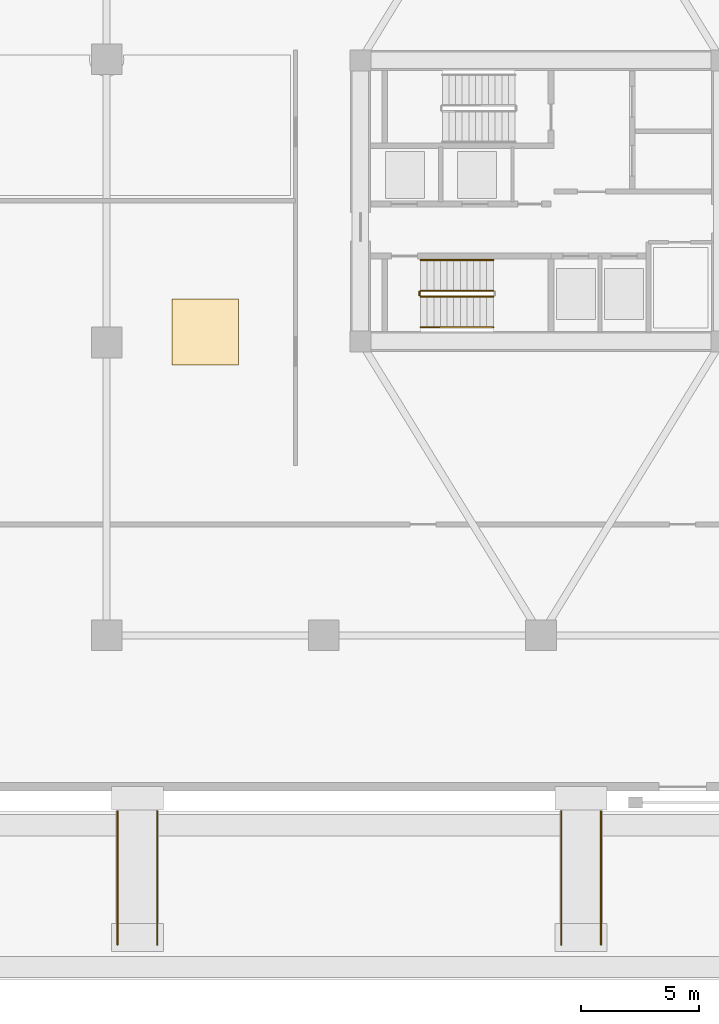
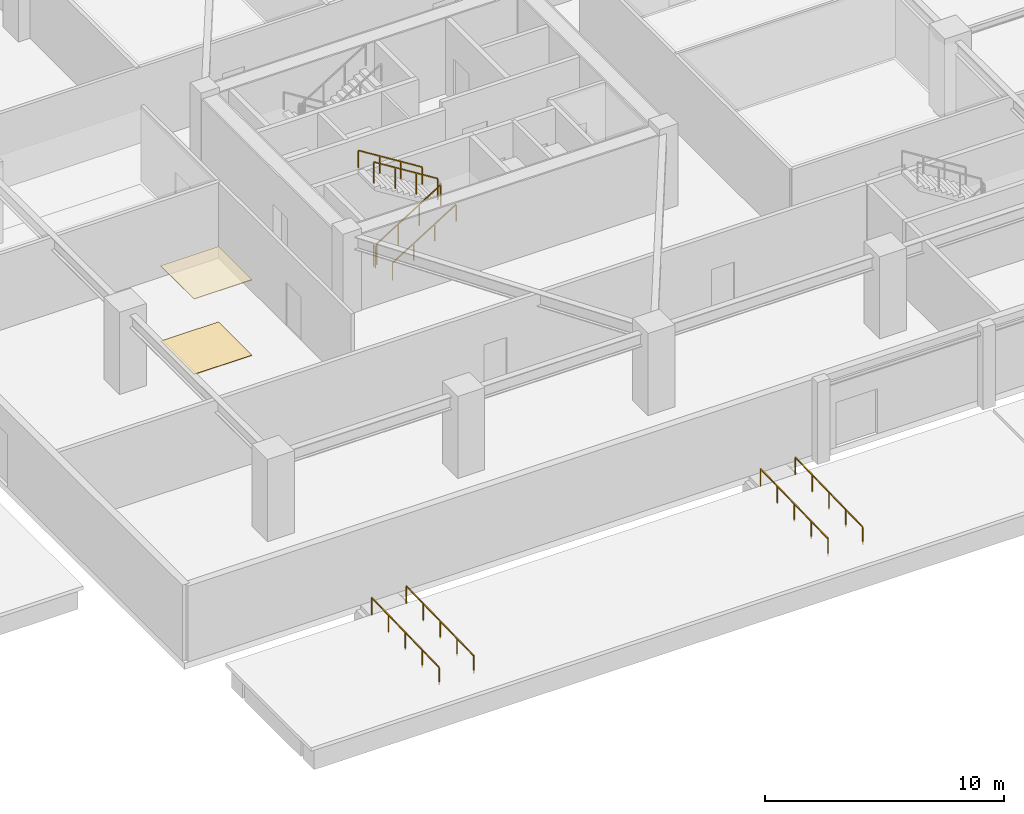
# One storey, part 13 of 22: 9 railings, 2 coverings.
"""IFC4 building model written with IfcOpenShell, lengths in metres."""

from ifc_helpers import new_model, si_unit, direction, frame, origin, origin_2d, place, context, subcontext, project, spatial, polyline, rectangle, outline, extrude, material, layer, layer_set, type_object, element, save


model = new_model("IFC4")

# Units and contexts
model_context = context("Model", 3, precision=1e-05, world=origin(), true_north=direction((0.0, 1.0)))
body_context = subcontext(model_context, "Body", "Model", "MODEL_VIEW")
ifc_project = project(units=[si_unit("LENGTHUNIT", "METRE"), si_unit("AREAUNIT", "SQUARE_METRE"), si_unit("VOLUMEUNIT", "CUBIC_METRE"), si_unit("PLANEANGLEUNIT", "RADIAN"), si_unit("MASSUNIT", "GRAM", prefix="KILO")], contexts=[model_context])

# Site, building, storey
site_placement = place(None, origin())
site = spatial("IfcSite", under=ifc_project, at=site_placement, CompositionType="ELEMENT")
building_placement = place(site_placement, origin())
building = spatial("IfcBuilding", under=site, at=building_placement, Name="Norrkilde Senior Care Towers", CompositionType="ELEMENT")
storey_placement = place(building_placement, origin())
storey = spatial("IfcBuildingStorey", under=building, at=storey_placement, Name="L00", CompositionType="ELEMENT", Elevation=0.0)

# Coverings
ifc_material_1 = material(Name="Gypsum Acoustic Board")
ifc_layer_1 = layer(ifc_material_1, 0.030029296875)
ifc_layer_set_1 = layer_set([ifc_layer_1], Name="Gypsum Acoustic Board")
covering_type_1 = type_object("IfcCoveringType", Name="Medical Cleanable Gypsum Ceiling 30", PredefinedType="CEILING", material=ifc_layer_set_1)
covering_1_placement = place(storey_placement, frame((0.0, 0.0, 3.85009765625)))
element("IfcCovering", 1, at=covering_1_placement, inside=storey, type_object=covering_type_1, Name="L00 Suspended Ceiling 0003", PredefinedType="CEILING", context=body_context, shape_type="SweptSolid", body=[
    extrude(outline(polyline([(-43.622802734375, -6.95947265625), (-43.622802734375, -4.159423828125), (-40.822998046875, -4.159423828125), (-40.822998046875, -6.95947265625), (-43.622802734375, -6.95947265625)])), origin(), (0.0, 0.0, 1.0), 0.02978515625),
])
ifc_material_2 = material(Name="Slip-Resistant Porcelain Stone", Category="masonry")
ifc_layer_2 = layer(ifc_material_2, 0.02490234375)
ifc_layer_set_2 = layer_set([ifc_layer_2], Name="Slip-Resistant Porcelain Stone")
covering_type_2 = type_object("IfcCoveringType", Name="Slip-Resistant Porcelain Flooring 25", PredefinedType="FLOORING", material=ifc_layer_set_2)
covering_2_placement = place(storey_placement, origin())
element("IfcCovering", 2, at=covering_2_placement, inside=storey, type_object=covering_type_2, Name="L00 Floor Finish 0003", PredefinedType="FLOORING", context=body_context, shape_type="SweptSolid", body=[
    extrude(outline(polyline([(-43.622802734375, -6.95947265625), (-43.622802734375, -4.159423828125), (-40.822998046875, -4.159423828125), (-40.822998046875, -6.95947265625), (-43.622802734375, -6.95947265625)])), origin(), (0.0, 0.0, 1.0), 0.02490234375),
])

# Railings
ifc_material_3 = material(Name="Stainless Steel", Category="steel")
railing_type_1 = type_object("IfcRailingType", Name="Stair and Terrace Guardrail 1100", PredefinedType="GUARDRAIL", material=ifc_material_3)
railing_1_placement = place(storey_placement, frame((-33.10009765625, -4.050048828125, 0.175048828125)))
element("IfcRailing", 3, at=railing_1_placement, inside=storey, type_object=railing_type_1, Name="L00 ST-W2 stair guard 1", PredefinedType="GUARDRAIL", context=body_context, shape_type="SweptSolid", body=[
    extrude(rectangle(XDim=0.048095703125, YDim=0.048095703125, at=origin_2d()), frame((0.0, 0.0, 1.076171875), z_axis=(0.847998304005, 0.0, 0.529998940003), x_axis=(0.0, 1.0, 0.0)), (0.0, 0.0, 1.0), 3.632080078125),
    extrude(rectangle(XDim=0.0419921875, YDim=0.0419921875, at=origin_2d()), origin(), (0.0, 0.0, 1.0), 1.050048828125),
    extrude(rectangle(XDim=0.0419921875, YDim=0.0419921875, at=origin_2d()), frame((1.026611328125, 0.0, 0.6416015625)), (0.0, 0.0, 1.0), 1.050048828125),
    extrude(rectangle(XDim=0.0419921875, YDim=0.0419921875, at=origin_2d()), frame((2.053466796875, 0.0, 1.283447265625)), (0.0, 0.0, 1.0), 1.050048828125),
    extrude(rectangle(XDim=0.0419921875, YDim=0.0419921875, at=origin_2d()), frame((3.080078125, 0.0, 1.925048828125)), (0.0, 0.0, 1.0), 1.050048828125),
])
railing_2_placement = place(storey_placement, frame((-30.02001953125, -3.800048828125, 2.27490234375)))
element("IfcRailing", 4, at=railing_2_placement, inside=storey, type_object=railing_type_1, Name="L00 ST-W2 stair guard 3", PredefinedType="GUARDRAIL", context=body_context, shape_type="SweptSolid", body=[
    extrude(rectangle(XDim=0.048095703125, YDim=0.048095703125, at=origin_2d()), frame((0.0, 0.0, 1.076171875), z_axis=(-0.847998304005, 0.0, 0.529998940003), x_axis=(0.0, -1.0, 0.0)), (0.0, 0.0, 1.0), 3.632080078125),
    extrude(rectangle(XDim=0.0419921875, YDim=0.0419921875, at=origin_2d()), origin(), (0.0, 0.0, 1.0), 1.050048828125),
    extrude(rectangle(XDim=0.0419921875, YDim=0.0419921875, at=origin_2d()), frame((-1.026611328125, 0.0, 0.6416015625)), (0.0, 0.0, 1.0), 1.050048828125),
    extrude(rectangle(XDim=0.0419921875, YDim=0.0419921875, at=origin_2d()), frame((-2.053466796875, 0.0, 1.283447265625)), (0.0, 0.0, 1.0), 1.050048828125),
    extrude(rectangle(XDim=0.0419921875, YDim=0.0419921875, at=origin_2d()), frame((-3.080078125, 0.0, 1.925048828125)), (0.0, 0.0, 1.0), 1.050048828125),
])
railing_3_placement = place(storey_placement, frame((-33.14990234375, -4.0, 0.0)))
element("IfcRailing", 5, at=railing_3_placement, inside=storey, type_object=railing_type_1, Name="L00 ST-W2 stair guard 4", PredefinedType="GUARDRAIL", context=body_context, shape_type="SweptSolid", body=[
    extrude(rectangle(XDim=0.048095703125, YDim=0.048095703125, at=origin_2d()), frame((0.0, 0.0, 1.076171875), z_axis=(0.0, 1.0, 0.0), x_axis=(-1.0, 0.0, 0.0)), (0.0, 0.0, 1.0), 0.14990234375),
    extrude(rectangle(XDim=0.0419921875, YDim=0.0419921875, at=origin_2d()), origin(), (0.0, 0.0, 1.0), 1.050048828125),
    extrude(rectangle(XDim=0.0419921875, YDim=0.0419921875, at=origin_2d()), frame((0.0, 0.14990234375, 0.0)), (0.0, 0.0, 1.0), 1.050048828125),
])
ifc_material_4 = material(Name="Nordic Ash Timber", Category="wood")
railing_type_2 = type_object("IfcRailingType", Name="Wall and Stair Handrail 900", PredefinedType="HANDRAIL", material=ifc_material_4)
for number, where, name in (
    (6, (-45.93994140625, -31.5, -0.159912109375), "L00 Accessible Ramp 1 W Handrail"),
    (7, (-44.260009765625, -31.5, -0.159912109375), "L00 Accessible Ramp 1 E Handrail"),
    (8, (-27.139892578125, -31.5, -0.159912109375), "L00 Accessible Ramp 2 W Handrail"),
    (9, (-25.4599609375, -31.5, -0.159912109375), "L00 Accessible Ramp 2 E Handrail"),
):
    element("IfcRailing", number, at=place(storey_placement, frame(where)), inside=storey, type_object=railing_type_2, Name=name, PredefinedType="HANDRAIL", context=body_context, shape_type="SweptSolid", body=[
        extrude(rectangle(XDim=0.048095703125, YDim=0.048095703125, at=origin_2d()), frame((0.0, 0.0, 0.89599609375), z_axis=(0.0, 0.999693607707, 0.024752589976), x_axis=(-1.0, 0.0, 0.0)), (0.0, 0.0, 1.0), 5.651611328125),
        extrude(rectangle(XDim=0.0419921875, YDim=0.0419921875, at=origin_2d()), origin(), (0.0, 0.0, 1.0), 0.869873046875),
        extrude(rectangle(XDim=0.0419921875, YDim=0.0419921875, at=origin_2d()), frame((0.0, 1.41259765625, 0.034912109375)), (0.0, 0.0, 1.0), 0.869873046875),
        extrude(rectangle(XDim=0.0419921875, YDim=0.0419921875, at=origin_2d()), frame((0.0, 2.824951171875, 0.06982421875)), (0.0, 0.0, 1.0), 0.869873046875),
        extrude(rectangle(XDim=0.0419921875, YDim=0.0419921875, at=origin_2d()), frame((0.0, 4.2373046875, 0.10498046875)), (0.0, 0.0, 1.0), 0.869873046875),
        extrude(rectangle(XDim=0.0419921875, YDim=0.0419921875, at=origin_2d()), frame((0.0, 5.64990234375, 0.139892578125)), (0.0, 0.0, 1.0), 0.869873046875),
    ])
railing_4_placement = place(storey_placement, frame((-33.10009765625, -5.35009765625, 0.175048828125)))
element("IfcRailing", 10, at=railing_4_placement, inside=storey, type_object=railing_type_2, Name="L00 ST-W2 stair handrail 1", PredefinedType="HANDRAIL", context=body_context, shape_type="SweptSolid", body=[
    extrude(rectangle(XDim=0.048095703125, YDim=0.048095703125, at=origin_2d()), frame((0.0, 0.0, 0.8759765625), z_axis=(0.847998304005, 0.0, 0.529998940003), x_axis=(0.0, 1.0, 0.0)), (0.0, 0.0, 1.0), 3.632080078125),
    extrude(rectangle(XDim=0.0419921875, YDim=0.0419921875, at=origin_2d()), origin(), (0.0, 0.0, 1.0), 0.849853515625),
    extrude(rectangle(XDim=0.0419921875, YDim=0.0419921875, at=origin_2d()), frame((1.026611328125, 0.0, 0.6416015625)), (0.0, 0.0, 1.0), 0.849853515625),
    extrude(rectangle(XDim=0.0419921875, YDim=0.0419921875, at=origin_2d()), frame((2.053466796875, 0.0, 1.283447265625)), (0.0, 0.0, 1.0), 0.849853515625),
    extrude(rectangle(XDim=0.0419921875, YDim=0.0419921875, at=origin_2d()), frame((3.080078125, 0.0, 1.925048828125)), (0.0, 0.0, 1.0), 0.849853515625),
])
railing_5_placement = place(storey_placement, frame((-30.02001953125, -2.5, 2.27490234375)))
element("IfcRailing", 11, at=railing_5_placement, inside=storey, type_object=railing_type_2, Name="L00 ST-W2 stair handrail 2", PredefinedType="HANDRAIL", context=body_context, shape_type="SweptSolid", body=[
    extrude(rectangle(XDim=0.048095703125, YDim=0.048095703125, at=origin_2d()), frame((0.0, 0.0, 0.8759765625), z_axis=(-0.847998304005, 0.0, 0.529998940003), x_axis=(0.0, -1.0, 0.0)), (0.0, 0.0, 1.0), 3.632080078125),
    extrude(rectangle(XDim=0.0419921875, YDim=0.0419921875, at=origin_2d()), origin(), (0.0, 0.0, 1.0), 0.849853515625),
    extrude(rectangle(XDim=0.0419921875, YDim=0.0419921875, at=origin_2d()), frame((-1.026611328125, 0.0, 0.6416015625)), (0.0, 0.0, 1.0), 0.849853515625),
    extrude(rectangle(XDim=0.0419921875, YDim=0.0419921875, at=origin_2d()), frame((-2.053466796875, 0.0, 1.283447265625)), (0.0, 0.0, 1.0), 0.849853515625),
    extrude(rectangle(XDim=0.0419921875, YDim=0.0419921875, at=origin_2d()), frame((-3.080078125, 0.0, 1.925048828125)), (0.0, 0.0, 1.0), 0.849853515625),
])

save(model, "model.ifc")
